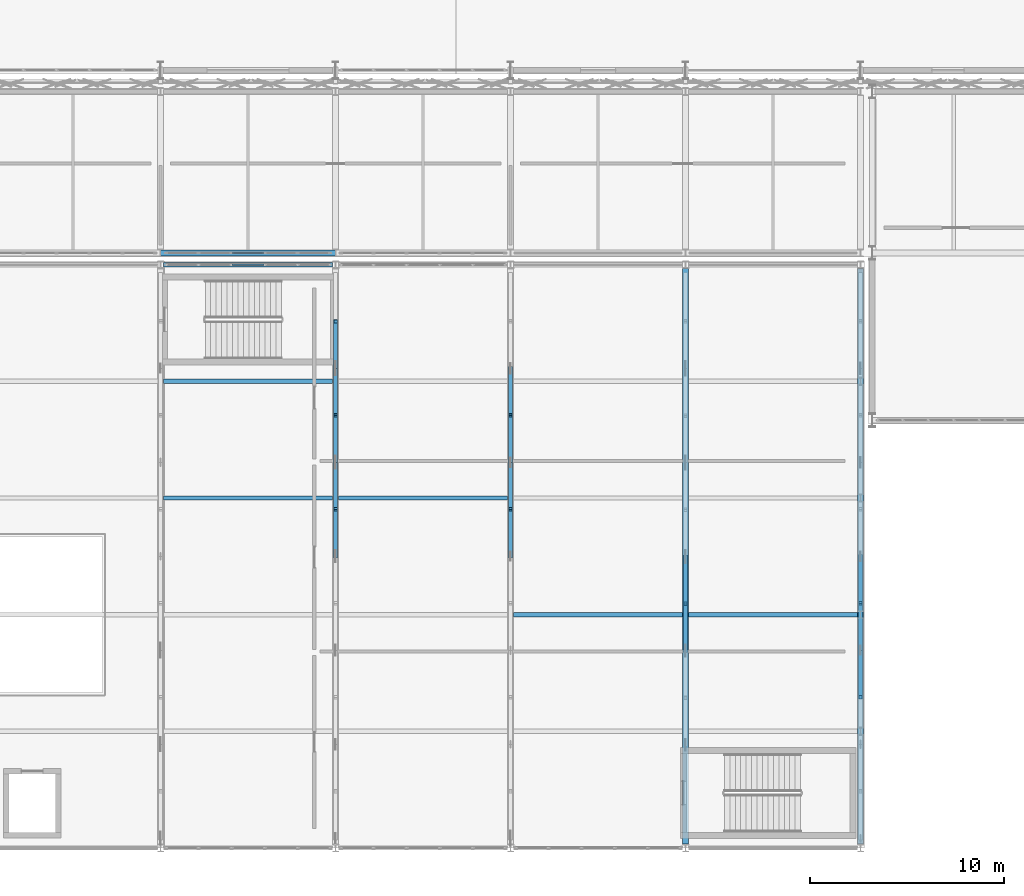
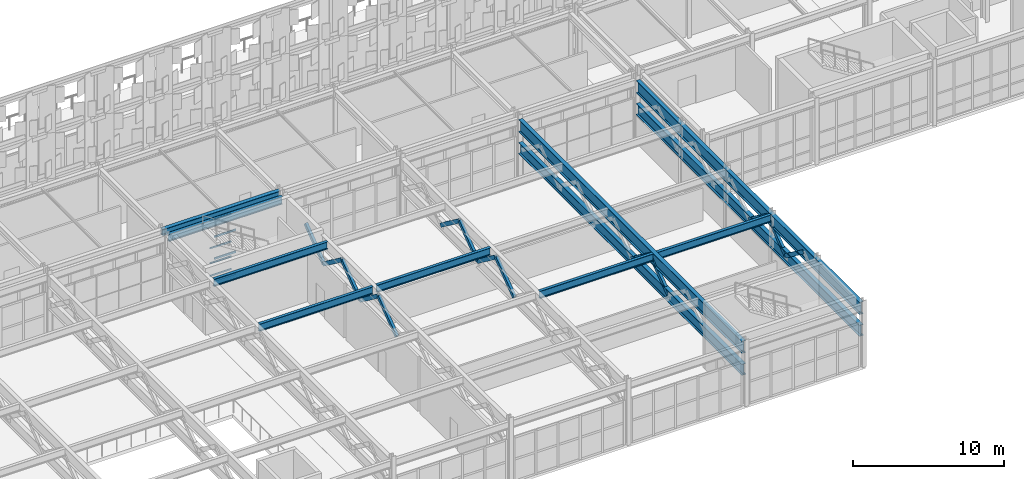
# One storey, part 41 of 210: 21 members, 11 beams, 2 elements without a shape of their own.
"""IFC4 building model written with IfcOpenShell, lengths in metres."""

from ifc_helpers import new_model, si_unit, direction, frame, origin, origin_2d, place, context, subcontext, project, spatial, hollow_rectangle, i_section, extrude, material, material_profile, profile_set, type_object, element, aggregate, save


model = new_model("IFC4")

# Units and contexts
model_context = context("Model", 3, precision=1e-05, world=origin(), true_north=direction((0.0, 1.0)))
body_context = subcontext(model_context, "Body", "Model", "MODEL_VIEW")
ifc_project = project(units=[si_unit("LENGTHUNIT", "METRE"), si_unit("AREAUNIT", "SQUARE_METRE"), si_unit("VOLUMEUNIT", "CUBIC_METRE"), si_unit("PLANEANGLEUNIT", "RADIAN"), si_unit("MASSUNIT", "GRAM", prefix="KILO")], contexts=[model_context])

# Site, building, storey
site_placement = place(None, origin())
site = spatial("IfcSite", under=ifc_project, at=site_placement, CompositionType="ELEMENT")
building_placement = place(site_placement, origin())
building = spatial("IfcBuilding", under=site, at=building_placement, Name="Kaldris Quays Convention Centre", CompositionType="ELEMENT")
storey_placement = place(building_placement, frame((0.0, 0.0, 6.0)))
storey = spatial("IfcBuildingStorey", under=building, at=storey_placement, Name="L01", CompositionType="ELEMENT", Elevation=6.0)

# Curtain wall, members
ifc_material_1 = material(Name="Anodized aluminium AW-6060 and triple glazing", Category="aluminium")
curtain_wall_type_1 = type_object("IfcCurtainWallType", Name="UNITISED CURTAIN WALL CW02", PredefinedType="NOTDEFINED", material=ifc_material_1)
curtain_wall_1_placement = place(storey_placement, origin())
curtain_wall_1 = element("IfcCurtainWall", 1, at=curtain_wall_1_placement, inside=storey, type_object=curtain_wall_type_1, Name="L01 Unitised Curtain Wall CW02 92", PredefinedType="NOTDEFINED")
ifc_material_2 = material(Name="Anodized aluminium AW-6060", Category="aluminium")
ifc_material_profile_1 = material_profile(ifc_material_2, hollow_rectangle(XDim=0.06005859375, YDim=0.1201171875, WallThickness=0.00390625, at=origin_2d()), Name="RHS 120x60x4")
ifc_profile_set_1 = profile_set([ifc_material_profile_1], Name="Anodized aluminium AW-6060")
member_type_1 = type_object("IfcMemberType", Name="CURTAIN TRANSOM CWT1", PredefinedType="USERDEFINED", material=ifc_profile_set_1)
member_1_placement = place(storey_placement, frame((50.679931640625, 46.60009765625, 0.030029296875), z_axis=(1.0, 0.0, 0.0), x_axis=(0.0, 1.0, 0.0)))
member_1 = element("IfcMember", 2, at=member_1_placement, type_object=member_type_1, Name="CW02 transom 3.1", ObjectType="TRANSOM", PredefinedType="USERDEFINED", context=body_context, shape_type="SweptSolid", body=[
    extrude(hollow_rectangle(XDim=0.06005859375, YDim=0.1201171875, WallThickness=0.00390625, at=origin_2d()), origin(), (0.0, 0.0, 1.0), 1.64013671875),
])
member_2_placement = place(storey_placement, frame((50.679931640625, 46.60009765625, 1.050048828125), z_axis=(1.0, 0.0, 0.0), x_axis=(0.0, 1.0, 0.0)))
member_2 = element("IfcMember", 3, at=member_2_placement, type_object=member_type_1, Name="CW02 transom 3.2", ObjectType="TRANSOM", PredefinedType="USERDEFINED", context=body_context, shape_type="SweptSolid", body=[
    extrude(hollow_rectangle(XDim=0.06005859375, YDim=0.1201171875, WallThickness=0.00390625, at=origin_2d()), origin(), (0.0, 0.0, 1.0), 1.64013671875),
])
member_3_placement = place(storey_placement, frame((50.679931640625, 46.60009765625, 2.263916015625), z_axis=(1.0, 0.0, 0.0), x_axis=(0.0, 1.0, 0.0)))
member_3 = element("IfcMember", 4, at=member_3_placement, type_object=member_type_1, Name="CW02 transom 3.3", ObjectType="TRANSOM", PredefinedType="USERDEFINED", context=body_context, shape_type="SweptSolid", body=[
    extrude(hollow_rectangle(XDim=0.06005859375, YDim=0.1201171875, WallThickness=0.00390625, at=origin_2d()), origin(), (0.0, 0.0, 1.0), 1.64013671875),
])
member_4_placement = place(storey_placement, frame((50.679931640625, 46.60009765625, 4.498046875), z_axis=(1.0, 0.0, 0.0), x_axis=(0.0, 1.0, 0.0)))
member_4 = element("IfcMember", 5, at=member_4_placement, type_object=member_type_1, Name="CW02 transom 3.4", ObjectType="TRANSOM", PredefinedType="USERDEFINED", context=body_context, shape_type="SweptSolid", body=[
    extrude(hollow_rectangle(XDim=0.06005859375, YDim=0.1201171875, WallThickness=0.00390625, at=origin_2d()), origin(), (0.0, 0.0, 1.0), 1.64013671875),
])
aggregate(curtain_wall_1, [member_1, member_2, member_3, member_4])

curtain_wall_type_2 = type_object("IfcCurtainWallType", Name="UNITISED CURTAIN WALL CW05", PredefinedType="NOTDEFINED", material=ifc_material_1)
curtain_wall_2_placement = place(storey_placement, origin())
curtain_wall_2 = element("IfcCurtainWall", 6, at=curtain_wall_2_placement, inside=storey, type_object=curtain_wall_type_2, Name="L01 Unitised Curtain Wall CW05 66", PredefinedType="NOTDEFINED")
ifc_material_profile_2 = material_profile(ifc_material_2, hollow_rectangle(XDim=0.06005859375, YDim=0.159912109375, WallThickness=0.00390625, at=origin_2d()), Name="RHS 160x60x4")
ifc_profile_set_2 = profile_set([ifc_material_profile_2], Name="Anodized aluminium AW-6060")
member_type_2 = type_object("IfcMemberType", Name="CURTAIN TRANSOM CWT2", PredefinedType="USERDEFINED", material=ifc_profile_set_2)
member_5_placement = place(storey_placement, frame((50.679931640625, 46.0, 0.030029296875), z_axis=(1.0, 0.0, 0.0), x_axis=(0.0, 1.0, 0.0)))
member_5 = element("IfcMember", 7, at=member_5_placement, type_object=member_type_2, Name="CW05 transom 3.1", ObjectType="TRANSOM", PredefinedType="USERDEFINED", context=body_context, shape_type="SweptSolid", body=[
    extrude(hollow_rectangle(XDim=0.06005859375, YDim=0.159912109375, WallThickness=0.00390625, at=origin_2d()), origin(), (0.0, 0.0, 1.0), 1.64013671875),
])
member_6_placement = place(storey_placement, frame((50.679931640625, 46.0, 1.800048828125), z_axis=(1.0, 0.0, 0.0), x_axis=(0.0, 1.0, 0.0)))
member_6 = element("IfcMember", 8, at=member_6_placement, type_object=member_type_2, Name="CW05 transom 3.2", ObjectType="TRANSOM", PredefinedType="USERDEFINED", context=body_context, shape_type="SweptSolid", body=[
    extrude(hollow_rectangle(XDim=0.06005859375, YDim=0.159912109375, WallThickness=0.00390625, at=origin_2d()), origin(), (0.0, 0.0, 1.0), 1.64013671875),
])
member_7_placement = place(storey_placement, frame((50.679931640625, 46.0, 3.570068359375), z_axis=(1.0, 0.0, 0.0), x_axis=(0.0, 1.0, 0.0)))
member_7 = element("IfcMember", 9, at=member_7_placement, type_object=member_type_2, Name="CW05 transom 3.3", ObjectType="TRANSOM", PredefinedType="USERDEFINED", context=body_context, shape_type="SweptSolid", body=[
    extrude(hollow_rectangle(XDim=0.06005859375, YDim=0.159912109375, WallThickness=0.00390625, at=origin_2d()), origin(), (0.0, 0.0, 1.0), 1.64013671875),
])
aggregate(curtain_wall_2, [member_5, member_6, member_7])

# Beams
ifc_material_3 = material(Name="Steel S460ML", Category="steel")
ifc_material_profile_3 = material_profile(ifc_material_3, i_section(OverallWidth=0.300048828125, OverallDepth=1.0, WebThickness=0.01904296875, FlangeThickness=0.035888671875, FilletRadius=0.030029296875, at=origin_2d()), Name="HEB 1000")
ifc_profile_set_3 = profile_set([ifc_material_profile_3], Name="Steel S460ML")
beam_type_1 = type_object("IfcBeamType", Name="STRUCTURAL BEAM BM01", PredefinedType="BEAM", material=ifc_profile_set_3)
for number, where, z_axis, x_axis, name in (
    (10, (74.0, 16.19140625, 4.55810546875), (0.0, 1.0, 0.0), (-1.0, 0.0, 0.0), "Transfer Truss TT07 Top Chord"),
    (11, (83.0, 16.19140625, 4.55810546875), (0.0, 1.0, 0.0), (-1.0, 0.0, 0.0), "Transfer Truss TT08 Top Chord"),
):
    element("IfcBeam", number, at=place(storey_placement, frame(where, z_axis=z_axis, x_axis=x_axis)), inside=storey, type_object=beam_type_1, Name=name, PredefinedType="BEAM", context=body_context, shape_type="SweptSolid", body=[
        extrude(i_section(OverallWidth=0.300048828125, OverallDepth=1.0, WebThickness=0.01904296875, FlangeThickness=0.035888671875, FilletRadius=0.030029296875, at=origin_2d()), origin(), (0.0, 0.0, 1.0), 29.6171875),
    ])
ifc_material_4 = material(Name="Steel S355J2", Category="steel")
ifc_material_profile_4 = material_profile(ifc_material_4, i_section(OverallWidth=0.300048828125, OverallDepth=0.89990234375, WebThickness=0.0185546875, FlangeThickness=0.034912109375, FilletRadius=0.030029296875, at=origin_2d()), Name="HEB 900")
ifc_profile_set_4 = profile_set([ifc_material_profile_4], Name="Steel S355J2")
beam_type_2 = type_object("IfcBeamType", Name="STRUCTURAL BEAM BM02", PredefinedType="BEAM", material=ifc_profile_set_4)
for number, where, z_axis, x_axis, name in (
    (12, (74.0, 16.19140625, 2.75), (0.0, 1.0, 0.0), (-1.0, 0.0, 0.0), "Transfer Truss TT07 Bottom Chord"),
    (13, (83.0, 16.19140625, 2.75), (0.0, 1.0, 0.0), (-1.0, 0.0, 0.0), "Transfer Truss TT08 Bottom Chord"),
):
    element("IfcBeam", number, at=place(storey_placement, frame(where, z_axis=z_axis, x_axis=x_axis)), inside=storey, type_object=beam_type_2, Name=name, PredefinedType="BEAM", context=body_context, shape_type="SweptSolid", body=[
        extrude(i_section(OverallWidth=0.300048828125, OverallDepth=0.89990234375, WebThickness=0.0185546875, FlangeThickness=0.034912109375, FilletRadius=0.030029296875, at=origin_2d()), origin(), (0.0, 0.0, 1.0), 29.6171875),
    ])
ifc_material_profile_5 = material_profile(ifc_material_4, i_section(OverallWidth=0.300048828125, OverallDepth=0.5, WebThickness=0.014404296875, FlangeThickness=0.028076171875, FilletRadius=0.027099609375, at=origin_2d()), Name="HEB 500")
ifc_profile_set_5 = profile_set([ifc_material_profile_5], Name="Steel S355J2")
beam_type_3 = type_object("IfcBeamType", Name="STRUCTURAL BEAM BM06", PredefinedType="BEAM", material=ifc_profile_set_5)
beam_placement = place(storey_placement, frame((46.99951171875, 46.60009765625, 4.89306640625), z_axis=(1.0, 0.0, 0.0), x_axis=(0.0, 1.0, 0.0)))
element("IfcBeam", 14, at=beam_placement, inside=storey, type_object=beam_type_3, Name="L01 Girder BM06 3", PredefinedType="BEAM", context=body_context, shape_type="SweptSolid", body=[
    extrude(i_section(OverallWidth=0.300048828125, OverallDepth=0.5, WebThickness=0.014404296875, FlangeThickness=0.028076171875, FilletRadius=0.027099609375, at=origin_2d()), origin(), (0.0, 0.0, 1.0), 9.0009765625),
])
ifc_material_profile_6 = material_profile(ifc_material_4, i_section(OverallWidth=0.219970703125, OverallDepth=0.60009765625, WebThickness=0.011962890625, FlangeThickness=0.01904296875, FilletRadius=0.02392578125, at=origin_2d()), Name="IPE 600")
ifc_profile_set_6 = profile_set([ifc_material_profile_6], Name="Steel S355J2")
beam_type_4 = type_object("IfcBeamType", Name="STRUCTURAL BEAM BM10", PredefinedType="BEAM", material=ifc_profile_set_6)
for number, where, z_axis, x_axis, name in (
    (15, (65.14501953125, 28.0, 4.758056640625), (1.0, 0.0, 0.0), (0.0, 1.0, 0.0), "L01 Ballroom Tie Beam BM10"),
    (16, (74.14501953125, 28.0, 4.758056640625), (1.0, 0.0, 0.0), (0.0, 1.0, 0.0), "L01 Ballroom Tie Beam BM10"),
    (17, (47.14501953125, 34.0, 4.758056640625), (1.0, 0.0, 0.0), (0.0, 1.0, 0.0), "L01 Ballroom Tie Beam BM10"),
    (18, (56.14501953125, 34.0, 4.758056640625), (1.0, 0.0, 0.0), (0.0, 1.0, 0.0), "L01 Ballroom Tie Beam BM10"),
    (19, (47.14501953125, 40.0, 4.758056640625), (1.0, 0.0, 0.0), (0.0, 1.0, 0.0), "L01 Ballroom Tie Beam BM10"),
    (20, (47.14501953125, 46.0, 4.758056640625), (1.0, 0.0, 0.0), (0.0, 1.0, 0.0), "L01 Ballroom Tie Beam BM10"),
):
    element("IfcBeam", number, at=place(storey_placement, frame(where, z_axis=z_axis, x_axis=x_axis)), inside=storey, type_object=beam_type_4, Name=name, PredefinedType="BEAM", context=body_context, shape_type="SweptSolid", body=[
        extrude(i_section(OverallWidth=0.219970703125, OverallDepth=0.60009765625, WebThickness=0.011962890625, FlangeThickness=0.01904296875, FilletRadius=0.02392578125, at=origin_2d()), origin(), (0.0, 0.0, 1.0), 8.7099609375),
    ])

# Members
ifc_material_5 = material(Name="Steel S355J2H", Category="steel")
ifc_material_profile_7 = material_profile(ifc_material_5, hollow_rectangle(XDim=0.199951171875, YDim=0.300048828125, WallThickness=0.012451171875, at=origin_2d()), Name="RHS 300x200x12.5")
ifc_profile_set_7 = profile_set([ifc_material_profile_7], Name="Steel S355J2H")
member_type_3 = type_object("IfcMemberType", Name="STRUCTURAL MEMBER TTD1", PredefinedType="BRACE", material=ifc_profile_set_7)
member_8_placement = place(storey_placement, frame((56.0, 31.0, 2.75), z_axis=(0.0, 0.800708018983, 0.599054812464), x_axis=(-1.0, 0.0, 0.0)))
element("IfcMember", 21, at=member_8_placement, inside=storey, type_object=member_type_3, Name="Transfer Truss TT05 Diagonal 7", PredefinedType="BRACE", context=body_context, shape_type="SweptSolid", body=[
    extrude(hollow_rectangle(XDim=0.199951171875, YDim=0.300048828125, WallThickness=0.012451171875, at=origin_2d()), origin(), (0.0, 0.0, 1.0), 3.018310546875),
])
member_9_placement = place(storey_placement, frame((56.0, 35.833251953125, 2.75), z_axis=(0.0, -0.800678988238, 0.599093613548), x_axis=(1.0, 0.0, 0.0)))
element("IfcMember", 22, at=member_9_placement, inside=storey, type_object=member_type_3, Name="Transfer Truss TT05 Diagonal 8", PredefinedType="BRACE", context=body_context, shape_type="SweptSolid", body=[
    extrude(hollow_rectangle(XDim=0.199951171875, YDim=0.300048828125, WallThickness=0.012451171875, at=origin_2d()), origin(), (0.0, 0.0, 1.0), 3.01806640625),
])
for number, where, z_axis, x_axis, name in (
    (23, (56.0, 35.833251953125, 2.75), (0.0, 0.800708018983, 0.599054812464), (-1.0, 0.0, 0.0), "Transfer Truss TT05 Diagonal 9"),
    (24, (56.0, 40.666748046875, 2.75), (0.0, -0.800708018983, 0.599054812464), (1.0, 0.0, 0.0), "Transfer Truss TT05 Diagonal 10"),
):
    element("IfcMember", number, at=place(storey_placement, frame(where, z_axis=z_axis, x_axis=x_axis)), inside=storey, type_object=member_type_3, Name=name, PredefinedType="BRACE", context=body_context, shape_type="SweptSolid", body=[
        extrude(hollow_rectangle(XDim=0.199951171875, YDim=0.300048828125, WallThickness=0.012451171875, at=origin_2d()), origin(), (0.0, 0.0, 1.0), 3.018310546875),
    ])
member_10_placement = place(storey_placement, frame((56.0, 40.666748046875, 2.75), z_axis=(0.0, 0.800678988238, 0.599093613548), x_axis=(-1.0, 0.0, 0.0)))
element("IfcMember", 25, at=member_10_placement, inside=storey, type_object=member_type_3, Name="Transfer Truss TT05 Diagonal 11", PredefinedType="BRACE", context=body_context, shape_type="SweptSolid", body=[
    extrude(hollow_rectangle(XDim=0.199951171875, YDim=0.300048828125, WallThickness=0.012451171875, at=origin_2d()), origin(), (0.0, 0.0, 1.0), 3.01806640625),
])
member_11_placement = place(storey_placement, frame((65.0, 31.0, 2.75), z_axis=(0.0, 0.800708018983, 0.599054812464), x_axis=(-1.0, 0.0, 0.0)))
element("IfcMember", 26, at=member_11_placement, inside=storey, type_object=member_type_3, Name="Transfer Truss TT06 Diagonal 7", PredefinedType="BRACE", context=body_context, shape_type="SweptSolid", body=[
    extrude(hollow_rectangle(XDim=0.199951171875, YDim=0.300048828125, WallThickness=0.012451171875, at=origin_2d()), origin(), (0.0, 0.0, 1.0), 3.018310546875),
])
member_12_placement = place(storey_placement, frame((65.0, 35.833251953125, 2.75), z_axis=(0.0, -0.800678988238, 0.599093613548), x_axis=(1.0, 0.0, 0.0)))
element("IfcMember", 27, at=member_12_placement, inside=storey, type_object=member_type_3, Name="Transfer Truss TT06 Diagonal 8", PredefinedType="BRACE", context=body_context, shape_type="SweptSolid", body=[
    extrude(hollow_rectangle(XDim=0.199951171875, YDim=0.300048828125, WallThickness=0.012451171875, at=origin_2d()), origin(), (0.0, 0.0, 1.0), 3.01806640625),
])
for number, where, z_axis, x_axis, name in (
    (28, (65.0, 35.833251953125, 2.75), (0.0, 0.800708018983, 0.599054812464), (-1.0, 0.0, 0.0), "Transfer Truss TT06 Diagonal 9"),
    (29, (65.0, 40.666748046875, 2.75), (0.0, -0.800708018983, 0.599054812464), (1.0, 0.0, 0.0), "Transfer Truss TT06 Diagonal 10"),
):
    element("IfcMember", number, at=place(storey_placement, frame(where, z_axis=z_axis, x_axis=x_axis)), inside=storey, type_object=member_type_3, Name=name, PredefinedType="BRACE", context=body_context, shape_type="SweptSolid", body=[
        extrude(hollow_rectangle(XDim=0.199951171875, YDim=0.300048828125, WallThickness=0.012451171875, at=origin_2d()), origin(), (0.0, 0.0, 1.0), 3.018310546875),
    ])
member_13_placement = place(storey_placement, frame((74.0, 26.139892578125, 2.75), z_axis=(0.0, 0.801113857753, 0.598511977254), x_axis=(-1.0, 0.0, 0.0)))
element("IfcMember", 30, at=member_13_placement, inside=storey, type_object=member_type_3, Name="Transfer Truss TT07 Diagonal 3", PredefinedType="BRACE", context=body_context, shape_type="SweptSolid", body=[
    extrude(hollow_rectangle(XDim=0.199951171875, YDim=0.300048828125, WallThickness=0.012451171875, at=origin_2d()), origin(), (0.0, 0.0, 1.0), 3.02099609375),
])
member_14_placement = place(storey_placement, frame((74.0, 30.97998046875, 2.75), z_axis=(0.0, -0.801084905857, 0.598550727681), x_axis=(1.0, 0.0, 0.0)))
element("IfcMember", 31, at=member_14_placement, inside=storey, type_object=member_type_3, Name="Transfer Truss TT07 Diagonal 4", PredefinedType="BRACE", context=body_context, shape_type="SweptSolid", body=[
    extrude(hollow_rectangle(XDim=0.199951171875, YDim=0.300048828125, WallThickness=0.012451171875, at=origin_2d()), origin(), (0.0, 0.0, 1.0), 3.020751953125),
])
member_15_placement = place(storey_placement, frame((83.0, 26.166748046875, 2.75), z_axis=(0.0, -0.800708018983, 0.599054812464), x_axis=(1.0, 0.0, 0.0)))
element("IfcMember", 32, at=member_15_placement, inside=storey, type_object=member_type_3, Name="Transfer Truss TT08 Diagonal 4", PredefinedType="BRACE", context=body_context, shape_type="SweptSolid", body=[
    extrude(hollow_rectangle(XDim=0.199951171875, YDim=0.300048828125, WallThickness=0.012451171875, at=origin_2d()), origin(), (0.0, 0.0, 1.0), 3.018310546875),
])
member_16_placement = place(storey_placement, frame((83.0, 26.166748046875, 2.75), z_axis=(0.0, 0.800678988238, 0.599093613548), x_axis=(-1.0, 0.0, 0.0)))
element("IfcMember", 33, at=member_16_placement, inside=storey, type_object=member_type_3, Name="Transfer Truss TT08 Diagonal 5", PredefinedType="BRACE", context=body_context, shape_type="SweptSolid", body=[
    extrude(hollow_rectangle(XDim=0.199951171875, YDim=0.300048828125, WallThickness=0.012451171875, at=origin_2d()), origin(), (0.0, 0.0, 1.0), 3.01806640625),
])
member_17_placement = place(storey_placement, frame((83.0, 31.0, 2.75), z_axis=(0.0, -0.800708018983, 0.599054812464), x_axis=(1.0, 0.0, 0.0)))
element("IfcMember", 34, at=member_17_placement, inside=storey, type_object=member_type_3, Name="Transfer Truss TT08 Diagonal 6", PredefinedType="BRACE", context=body_context, shape_type="SweptSolid", body=[
    extrude(hollow_rectangle(XDim=0.199951171875, YDim=0.300048828125, WallThickness=0.012451171875, at=origin_2d()), origin(), (0.0, 0.0, 1.0), 3.018310546875),
])

save(model, "model.ifc")
